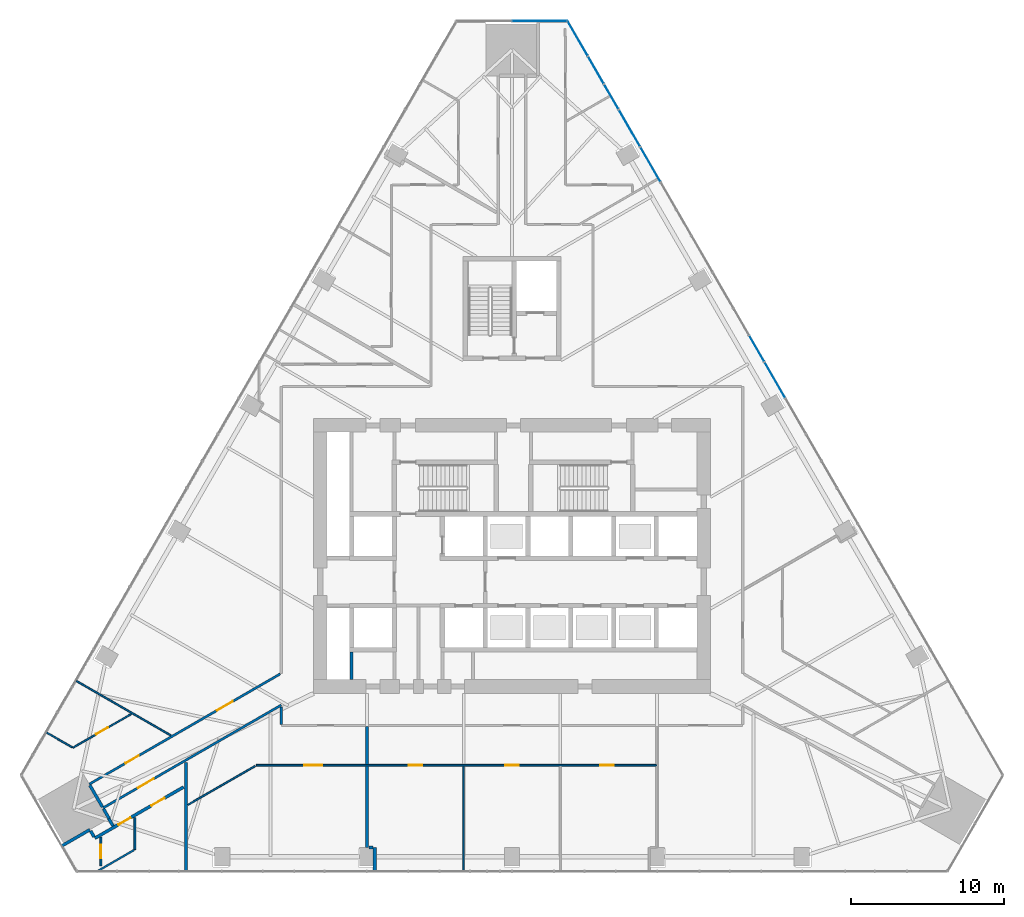
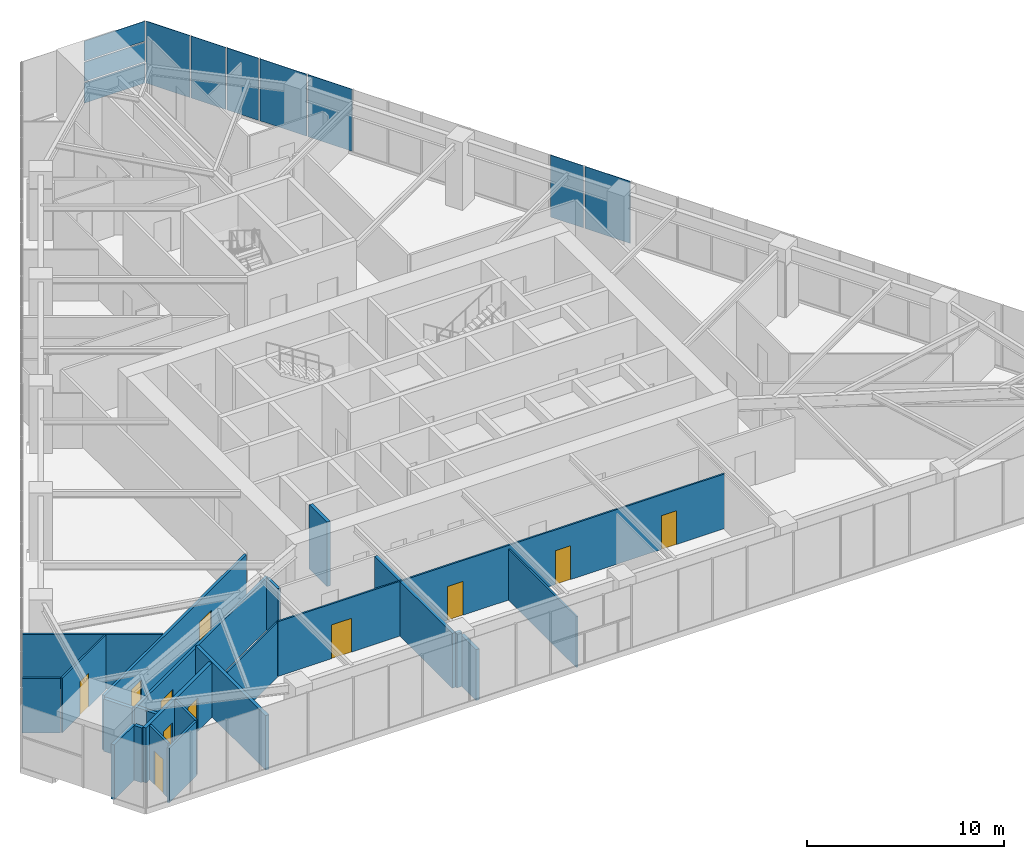
# One storey, part 15 of 21: 24 walls, 11 doors, 10 plates, 11 openings, 2 elements without a shape of their own.
"""IFC4 building model written with IfcOpenShell, lengths in metres."""

from ifc_helpers import new_model, si_unit, direction, frame, frame_2d, origin, place, context, subcontext, project, spatial, polyline, rectangle, outline, extrude, material, layer, layer_set, type_object, element, fill, aggregate, save


model = new_model("IFC4")

# Units and contexts
model_context = context("Model", 3, precision=1e-05, world=origin(), true_north=direction((0.0, 1.0)))
body_context = subcontext(model_context, "Body", "Model", "MODEL_VIEW")
ifc_project = project(units=[si_unit("LENGTHUNIT", "METRE"), si_unit("AREAUNIT", "SQUARE_METRE"), si_unit("VOLUMEUNIT", "CUBIC_METRE"), si_unit("PLANEANGLEUNIT", "RADIAN"), si_unit("MASSUNIT", "GRAM", prefix="KILO")], contexts=[model_context])

# Site, building, storey
site_placement = place(None, origin())
site = spatial("IfcSite", under=ifc_project, at=site_placement, CompositionType="ELEMENT")
building_placement = place(site_placement, origin())
building = spatial("IfcBuilding", under=site, at=building_placement, Name="Firuza Gate Tower and Library", CompositionType="ELEMENT")
storey_placement = place(building_placement, frame((0.0, 0.0, 69.39990234375)))
storey = spatial("IfcBuildingStorey", under=building, at=storey_placement, Name="L15", CompositionType="ELEMENT", Elevation=69.39990234375)

# Curtain wall, plates
ifc_material_1 = material(Name="Aluminium 6063-T6", Category="aluminium")
ifc_layer_1 = layer(ifc_material_1, 0.14990234375)
ifc_layer_set_1 = layer_set([ifc_layer_1], Name="Corner curtain wall, chamfers")
curtain_wall_type_1 = type_object("IfcCurtainWallType", Name="Corner curtain wall, chamfers", PredefinedType="NOTDEFINED", material=ifc_layer_set_1)
placement = place(storey_placement, origin())
curtain_wall_1 = element("IfcCurtainWall", 1, at=placement, inside=storey, type_object=curtain_wall_type_1, Name="CW4 L15 N corner", PredefinedType="NOTDEFINED")
ifc_material_2 = material(Name="Fritted glass", Category="glass")
ifc_layer_2 = layer(ifc_material_2, 0.030029296875)
ifc_layer_set_2 = layer_set([ifc_layer_2], Name="Fritted glass unit, corners")
plate_type_1 = type_object("IfcPlateType", Name="Fritted glass unit, corners", PredefinedType="CURTAIN_PANEL", material=ifc_layer_set_2)
plate_1_placement = place(storey_placement, frame((78.603271484375, 110.026611328125, 0.150146484375), z_axis=(0.0, 1.0, 0.0), x_axis=(-1.0, 0.0, 0.0)))
plate_1 = element("IfcPlate", 2, at=plate_1_placement, type_object=plate_type_1, Name="Glass unit", PredefinedType="CURTAIN_PANEL", context=body_context, shape_type="SweptSolid", body=[
    extrude(outline(polyline([(0.0, 0.0), (3.563232421875, 0.0), (3.563232421875, 1.260009765625), (0.0, 1.260009765625), (0.0, 0.0)])), origin(), (0.0, 0.0, -1.0), 0.030029296875),
])
plate_2_placement = place(storey_placement, frame((78.603271484375, 110.026611328125, 1.489990234375), z_axis=(0.0, 1.0, 0.0), x_axis=(-1.0, 0.0, 0.0)))
plate_2 = element("IfcPlate", 3, at=plate_2_placement, type_object=plate_type_1, Name="Glass unit", PredefinedType="CURTAIN_PANEL", context=body_context, shape_type="SweptSolid", body=[
    extrude(outline(polyline([(0.0, 0.0), (3.563232421875, 0.0), (3.563232421875, 1.195068359375), (0.0, 1.195068359375), (0.0, 0.0)])), origin(), (0.0, 0.0, -1.0), 0.030029296875),
])

ifc_material_3 = material(Name="Aluminium 6063-T6", Category="aluminium")
ifc_layer_3 = layer(ifc_material_3, 0.14990234375)
ifc_layer_set_3 = layer_set([ifc_layer_3], Name="Unitised curtain wall, offices")
curtain_wall_type_2 = type_object("IfcCurtainWallType", Name="Unitised curtain wall, offices", PredefinedType="NOTDEFINED", material=ifc_layer_set_3)
curtain_wall_2 = element("IfcCurtainWall", 4, at=placement, inside=storey, type_object=curtain_wall_type_2, Name="CW1 L15 E face", PredefinedType="NOTDEFINED")
ifc_material_4 = material(Name="Fritted glass", Category="glass")
ifc_layer_4 = layer(ifc_material_4, 0.030029296875)
ifc_layer_set_4 = layer_set([ifc_layer_4], Name="Fritted glass unit, offices")
plate_type_2 = type_object("IfcPlateType", Name="Fritted glass unit, offices", PredefinedType="CURTAIN_PANEL", material=ifc_layer_set_4)
plate_3_placement = place(storey_placement, frame((91.512939453125, 87.750732421875, 0.150146484375), z_axis=(0.866016514357, 0.500015396624, 0.0), x_axis=(-0.500015396624, 0.866016514357, 0.0)))
plate_3 = element("IfcPlate", 5, at=plate_3_placement, type_object=plate_type_2, Name="Glass unit", PredefinedType="CURTAIN_PANEL", context=body_context, shape_type="SweptSolid", body=[
    extrude(outline(polyline([(0.0, 0.0), (1.9237688859058393, 0.0), (1.9237688859058393, 3.849853515625), (0.0, 3.849853515625), (0.0, 0.0)])), origin(), (0.0, 0.0, -1.0), 0.030029296875),
])
plate_4_placement = place(storey_placement, frame((81.978515625, 104.264892578125, 0.150146484375), z_axis=(0.866014576189, 0.500018753476, 0.0), x_axis=(-0.500018753476, 0.866014576189, 0.0)))
plate_4 = element("IfcPlate", 6, at=plate_4_placement, type_object=plate_type_2, Name="Glass unit", PredefinedType="CURTAIN_PANEL", context=body_context, shape_type="SweptSolid", body=[
    extrude(outline(polyline([(0.0, 0.0), (1.8544226337585363, 0.0), (1.8544226337585363, 3.849853515625), (0.0, 3.849853515625), (0.0, 0.0)])), origin(), (0.0, 0.0, -1.0), 0.030029296875),
])
plate_5_placement = place(storey_placement, frame((81.01123046875, 105.940185546875, 0.150146484375), z_axis=(0.865997142093, 0.500048947491, 0.0), x_axis=(-0.500048947491, 0.865997142093, 0.0)))
plate_5 = element("IfcPlate", 7, at=plate_5_placement, type_object=plate_type_2, Name="Glass unit", PredefinedType="CURTAIN_PANEL", context=body_context, shape_type="SweptSolid", body=[
    extrude(outline(polyline([(0.0, 0.0), (2.0281217695542577, 0.0), (2.0281217695542577, 3.849853515625), (0.0, 3.849853515625), (0.0, 0.0)])), origin(), (0.0, 0.0, -1.0), 0.030029296875),
])

# Plate
ifc_material_5 = material(Name="Glazed ceramic tile")
ifc_layer_5 = layer(ifc_material_5, 0.030029296875)
ifc_layer_set_5 = layer_set([ifc_layer_5], Name="Opaque ceramic panel, corners")
plate_type_3 = type_object("IfcPlateType", Name="Opaque ceramic panel, corners", PredefinedType="CURTAIN_PANEL", material=ifc_layer_set_5)
plate_6_placement = place(storey_placement, frame((78.603271484375, 110.026611328125, 2.76513671875), z_axis=(0.0, 1.0, 0.0), x_axis=(-1.0, 0.0, 0.0)))
plate_6 = element("IfcPlate", 8, at=plate_6_placement, type_object=plate_type_3, Name="Opaque ceramic panel", PredefinedType="CURTAIN_PANEL", context=body_context, shape_type="SweptSolid", body=[
    extrude(outline(polyline([(0.0, 0.0), (3.563232421875, 0.0), (3.563232421875, 1.23486328125), (0.0, 1.23486328125), (0.0, 0.0)])), origin(), (0.0, 0.0, -1.0), 0.030029296875),
])

aggregate(curtain_wall_1, [plate_1, plate_2, plate_6])

ifc_material_6 = material(Name="Glazed ceramic tile")
ifc_layer_6 = layer(ifc_material_6, 0.030029296875)
ifc_layer_set_6 = layer_set([ifc_layer_6], Name="Opaque ceramic panel, offices")
plate_type_4 = type_object("IfcPlateType", Name="Opaque ceramic panel, offices", PredefinedType="CURTAIN_PANEL", material=ifc_layer_set_6)
plate_7_placement = place(storey_placement, frame((92.885986328125, 85.37255859375, 0.150146484375), z_axis=(0.866025463095, 0.499999897272, 0.0), x_axis=(-0.499999897272, 0.866025463095, 0.0)))
plate_7 = element("IfcPlate", 9, at=plate_7_placement, type_object=plate_type_4, Name="Opaque ceramic panel", PredefinedType="CURTAIN_PANEL", context=body_context, shape_type="SweptSolid", body=[
    extrude(outline(polyline([(0.0, 0.0), (2.666016172751346, 0.0), (2.666016172751346, 3.849853515625), (0.0, 3.849853515625), (0.0, 0.0)])), origin(), (0.0, 0.0, -1.0), 0.030029296875),
])

plate_8_placement = place(storey_placement, frame((84.724365234375, 99.5087890625, 0.150146484375), z_axis=(0.866041526567, 0.499972073481, 0.0), x_axis=(-0.499972073481, 0.866041526567, 0.0)))
plate_8 = element("IfcPlate", 10, at=plate_8_placement, type_object=plate_type_4, Name="Opaque ceramic panel", PredefinedType="CURTAIN_PANEL", context=body_context, shape_type="SweptSolid", body=[
    extrude(outline(polyline([(0.0, 0.0), (2.5963364195272924, 0.0), (2.5963364195272924, 3.849853515625), (0.0, 3.849853515625), (0.0, 0.0)])), origin(), (0.0, 0.0, -1.0), 0.030029296875),
])

plate_9_placement = place(storey_placement, frame((83.38623046875, 101.82666015625, 0.150146484375), z_axis=(0.866026550154, 0.499998014425, 0.0), x_axis=(-0.499998014425, 0.866026550154, 0.0)))
plate_9 = element("IfcPlate", 11, at=plate_9_placement, type_object=plate_type_4, Name="Opaque ceramic panel", PredefinedType="CURTAIN_PANEL", context=body_context, shape_type="SweptSolid", body=[
    extrude(outline(polyline([(0.0, 0.0), (2.735362425036586, 0.0), (2.735362425036586, 3.849853515625001), (0.0, 3.849853515625001), (0.0, 0.0)])), origin(), (0.0, 0.0, -1.0), 0.030029296875),
])

plate_10_placement = place(storey_placement, frame((79.957275390625, 107.765869140625, 0.150146484375), z_axis=(0.865999895656, 0.500044178772, 0.0), x_axis=(-0.500044178772, 0.865999895656, 0.0)))
plate_10 = element("IfcPlate", 12, at=plate_10_placement, type_object=plate_type_4, Name="Opaque ceramic panel", PredefinedType="CURTAIN_PANEL", context=body_context, shape_type="SweptSolid", body=[
    extrude(outline(polyline([(0.0, 0.0), (2.561785365684309, 0.0), (2.561785365684309, 3.849853515625), (0.0, 3.849853515625), (0.0, 0.0)])), origin(), (0.0, 0.0, -1.0), 0.030029296875),
])

aggregate(curtain_wall_2, [plate_7, plate_3, plate_8, plate_9, plate_4, plate_5, plate_10])

# Wall
ifc_material_7 = material(Name="Plasterboard on steel studs", Category="steel")
ifc_layer_7 = layer(ifc_material_7, 0.199951171875)
ifc_layer_set_7 = layer_set([ifc_layer_7], Name="Core partition 200 EI 120")
wall_type_1 = type_object("IfcWallType", Name="Core partition 200 EI 120", PredefinedType="PARTITIONING", material=ifc_layer_set_7)
wall_1_placement = place(storey_placement, frame((64.5, 66.89990234375, 0.0), z_axis=(0.0, 0.0, 1.0), x_axis=(0.0, 1.0, 0.0)))
element("IfcWall", 13, at=wall_1_placement, inside=storey, type_object=wall_type_1, Name="Core partition L15 5", PredefinedType="PARTITIONING", context=body_context, shape_type="SweptSolid", body=[
    extrude(rectangle(XDim=1.800048828125, YDim=0.199951171875, at=frame_2d((0.89990234375, 0.0))), origin(), (0.0, 0.0, 1.0), 4.0),
])

# Wall, opening, door
ifc_material_8 = material(Name="Gypsum board partition")
ifc_layer_8 = layer(ifc_material_8, 0.14990234375)
ifc_layer_set_8 = layer_set([ifc_layer_8], Name="Corridor wall 150 double board on steel studs")
wall_type_2 = type_object("IfcWallType", Name="Corridor wall 150 double board on steel studs", PredefinedType="PARTITIONING", material=ifc_layer_set_8)
wall_2_placement = place(storey_placement, frame((59.89990234375, 65.242919921875, 0.0), z_axis=(0.0, 0.0, 1.0), x_axis=(-0.866023326939, -0.500003597184, 0.0)))
wall_2 = element("IfcWall", 14, at=wall_2_placement, inside=storey, type_object=wall_type_2, Name="f:L15:w020", PredefinedType="PARTITIONING", context=body_context, shape_type="SweptSolid", body=[
    extrude(rectangle(XDim=13.48046875, YDim=0.14990234375, at=frame_2d((6.740234375, 0.0))), origin(), (0.0, 0.0, 1.0), 3.2470703125),
])
opening_1_placement = place(wall_2_placement, frame((9.642578125, 0.0, 0.0)))
opening_1 = element("IfcOpeningElement", 15, at=opening_1_placement, cuts=wall_2, Name="Opening L15-18", PredefinedType="OPENING", context=body_context, shape_type="SweptSolid", body=[
    extrude(rectangle(XDim=1.199951171875, YDim=2.10009765625, at=frame_2d((0.60009765625, 1.050048828125))), frame((0.0, 0.0849609375, 0.0), z_axis=(0.0, -1.0, 0.0), x_axis=(1.0, 0.0, 0.0)), (0.0, 0.0, 1.0), 0.169921875),
])
ifc_material_9 = material(Name="Steel door and timber leaf", Category="steel")
door_type_1 = type_object("IfcDoorType", Name="Fire door 1200 x 2100 steel frame, double leaf", OperationType="NOTDEFINED", PredefinedType="DOOR", material=ifc_material_9)
door_1_placement = place(opening_1_placement, origin())
door_1 = element("IfcDoor", 16, at=door_1_placement, inside=storey, type_object=door_type_1, Name="f:L15:d018", OperationType="DOUBLE_DOOR_SINGLE_SWING", OverallHeight=2.10009765625, OverallWidth=1.199951171875, PredefinedType="DOOR", context=body_context, shape_type="SweptSolid", body=[
    extrude(rectangle(XDim=1.199951171875, YDim=2.10009765625, at=frame_2d((0.60009765625, 1.050048828125))), frame((0.0, 0.02490234375, 0.0), z_axis=(0.0, -1.0, 0.0), x_axis=(1.0, 0.0, 0.0)), (0.0, 0.0, 1.0), 0.050048828125),
])
fill(opening_1, door_1)

# Wall, openings, doors
wall_3_placement = place(storey_placement, frame((47.32763671875, 60.062744140625, 0.0), z_axis=(0.0, 0.0, 1.0), x_axis=(0.86602527873, 0.500000216601, 0.0)))
wall_3 = element("IfcWall", 17, at=wall_3_placement, inside=storey, type_object=wall_type_2, Name="f:L15:w021", PredefinedType="PARTITIONING", context=body_context, shape_type="SweptSolid", body=[
    extrude(rectangle(XDim=14.4306640625, YDim=0.14990234375, at=frame_2d((7.21533203125, 0.0))), origin(), (0.0, 0.0, 1.0), 3.400146484375),
])
opening_2_placement = place(wall_3_placement, frame((2.736572265625, 0.0, 0.0)))
opening_2 = element("IfcOpeningElement", 18, at=opening_2_placement, cuts=wall_3, Name="Opening L15-19", PredefinedType="OPENING", context=body_context, shape_type="SweptSolid", body=[
    extrude(rectangle(XDim=1.0, YDim=2.10009765625, at=frame_2d((0.5, 1.050048828125))), frame((0.0, 0.0849609375, 0.0), z_axis=(0.0, -1.0, 0.0), x_axis=(1.0, 0.0, 0.0)), (0.0, 0.0, 1.0), 0.169921875),
])
opening_3_placement = place(wall_3_placement, frame((9.648681640625, 0.0, 0.0)))
opening_3 = element("IfcOpeningElement", 19, at=opening_3_placement, cuts=wall_3, Name="Opening L15-20", PredefinedType="OPENING", context=body_context, shape_type="SweptSolid", body=[
    extrude(rectangle(XDim=1.199951171875, YDim=2.10009765625, at=frame_2d((0.60009765625, 1.050048828125))), frame((0.0, 0.0849609375, 0.0), z_axis=(0.0, -1.0, 0.0), x_axis=(1.0, 0.0, 0.0)), (0.0, 0.0, 1.0), 0.169921875),
])
ifc_material_10 = material(Name="Steel door and timber leaf", Category="steel")
door_type_2 = type_object("IfcDoorType", Name="Fire door 1000 x 2100 steel frame, timber leaf", OperationType="NOTDEFINED", PredefinedType="DOOR", material=ifc_material_10)
door_2_placement = place(opening_2_placement, origin())
door_2 = element("IfcDoor", 20, at=door_2_placement, inside=storey, type_object=door_type_2, Name="f:L15:d019", OperationType="SINGLE_SWING_LEFT", OverallHeight=2.10009765625, OverallWidth=1.0, PredefinedType="DOOR", context=body_context, shape_type="SweptSolid", body=[
    extrude(rectangle(XDim=1.0, YDim=2.10009765625, at=frame_2d((0.5, 1.050048828125))), frame((0.0, 0.02490234375, 0.0), z_axis=(0.0, -1.0, 0.0), x_axis=(1.0, 0.0, 0.0)), (0.0, 0.0, 1.0), 0.050048828125),
])
fill(opening_2, door_2)
door_3_placement = place(opening_3_placement, origin())
door_3 = element("IfcDoor", 21, at=door_3_placement, inside=storey, type_object=door_type_1, Name="f:L15:d020", OperationType="DOUBLE_DOOR_SINGLE_SWING", OverallHeight=2.10009765625, OverallWidth=1.199951171875, PredefinedType="DOOR", context=body_context, shape_type="SweptSolid", body=[
    extrude(rectangle(XDim=1.199951171875, YDim=2.10009765625, at=frame_2d((0.60009765625, 1.050048828125))), frame((0.0, 0.02490234375, 0.0), z_axis=(0.0, -1.0, 0.0), x_axis=(1.0, 0.0, 0.0)), (0.0, 0.0, 1.0), 0.050048828125),
])
fill(opening_3, door_3)

# Walls
wall_4_placement = place(storey_placement, frame((59.89990234375, 63.97509765625, 0.0), z_axis=(0.0, 0.0, 1.0), x_axis=(0.0, 1.0, 0.0)))
element("IfcWall", 22, at=wall_4_placement, inside=storey, type_object=wall_type_2, Name="f:L15:w048", PredefinedType="PARTITIONING", context=body_context, shape_type="SweptSolid", body=[
    extrude(rectangle(XDim=1.131103515625, YDim=0.14990234375, at=frame_2d((0.5654296875, 0.0))), origin(), (0.0, 0.0, 1.0), 3.2470703125),
])
ifc_material_11 = material(Name="Gypsum board partition")
ifc_layer_9 = layer(ifc_material_11, 0.199951171875)
ifc_layer_set_9 = layer_set([ifc_layer_9], Name="Demising wall 200 acoustic double stud")
wall_type_3 = type_object("IfcWallType", Name="Demising wall 200 acoustic double stud", PredefinedType="PARTITIONING", material=ifc_layer_set_9)
wall_5_placement = place(storey_placement, frame((65.624755859375, 55.9140625, 0.0), z_axis=(0.0, 0.0, 1.0), x_axis=(1.0, 0.0, 0.0)))
element("IfcWall", 23, at=wall_5_placement, inside=storey, type_object=wall_type_3, Name="f:L15:w000", PredefinedType="PARTITIONING", context=body_context, shape_type="SweptSolid", body=[
    extrude(rectangle(XDim=0.2900390625, YDim=0.199951171875, at=frame_2d((0.14501953125, 0.0))), origin(), (0.0, 0.0, 1.0), 3.400146484375),
])

# Wall, openings, doors
wall_6_placement = place(storey_placement, frame((47.694580078125, 56.521240234375, 0.0), z_axis=(0.0, 0.0, 1.0), x_axis=(0.86602261799, 0.500004825106, 0.0)))
wall_6 = element("IfcWall", 24, at=wall_6_placement, inside=storey, type_object=wall_type_3, Name="f:L15:w018", PredefinedType="PARTITIONING", context=body_context, shape_type="SweptSolid", body=[
    extrude(rectangle(XDim=6.7109375, YDim=0.199951171875, at=frame_2d((3.35546875, 0.0))), origin(), (0.0, 0.0, 1.0), 3.400146484375),
])
opening_4_placement = place(wall_6_placement, frame((1.77880859375, 0.0, 0.0)))
opening_4 = element("IfcOpeningElement", 25, at=opening_4_placement, cuts=wall_6, Name="Opening L15-16", PredefinedType="OPENING", context=body_context, shape_type="SweptSolid", body=[
    extrude(rectangle(XDim=0.89990234375, YDim=2.10009765625, at=frame_2d((0.449951171875, 1.050048828125))), frame((0.0, 0.10986328125, 0.0), z_axis=(0.0, -1.0, 0.0), x_axis=(1.0, 0.0, 0.0)), (0.0, 0.0, 1.0), 0.219970703125),
])
opening_5_placement = place(wall_6_placement, frame((4.265625, 0.0, 0.0)))
opening_5 = element("IfcOpeningElement", 26, at=opening_5_placement, cuts=wall_6, Name="Opening L15-17", PredefinedType="OPENING", context=body_context, shape_type="SweptSolid", body=[
    extrude(rectangle(XDim=1.0, YDim=2.10009765625, at=frame_2d((0.5, 1.050048828125))), frame((0.0, 0.10986328125, 0.0), z_axis=(0.0, -1.0, 0.0), x_axis=(1.0, 0.0, 0.0)), (0.0, 0.0, 1.0), 0.219970703125),
])
ifc_material_12 = material(Name="Timber door", Category="wood")
door_type_3 = type_object("IfcDoorType", Name="Door 1000 x 2100 timber leaf", OperationType="NOTDEFINED", PredefinedType="DOOR", material=ifc_material_12)
door_4_placement = place(opening_5_placement, origin())
door_4 = element("IfcDoor", 27, at=door_4_placement, inside=storey, type_object=door_type_3, Name="f:L15:d017", OperationType="SINGLE_SWING_RIGHT", OverallHeight=2.10009765625, OverallWidth=1.0, PredefinedType="DOOR", context=body_context, shape_type="SweptSolid", body=[
    extrude(rectangle(XDim=1.0, YDim=2.10009765625, at=frame_2d((0.5, 1.050048828125))), frame((0.0, 0.02490234375, 0.0), z_axis=(0.0, -1.0, 0.0), x_axis=(1.0, 0.0, 0.0)), (0.0, 0.0, 1.0), 0.050048828125),
])
fill(opening_5, door_4)
ifc_material_13 = material(Name="Timber door", Category="wood")
door_type_4 = type_object("IfcDoorType", Name="Door 900 x 2100 timber leaf", OperationType="NOTDEFINED", PredefinedType="DOOR", material=ifc_material_13)
door_5_placement = place(opening_4_placement, origin())
door_5 = element("IfcDoor", 28, at=door_5_placement, inside=storey, type_object=door_type_4, Name="f:L15:d016", OperationType="SINGLE_SWING_LEFT", OverallHeight=2.10009765625, OverallWidth=0.89990234375, PredefinedType="DOOR", context=body_context, shape_type="SweptSolid", body=[
    extrude(rectangle(XDim=0.89990234375, YDim=2.10009765625, at=frame_2d((0.449951171875, 1.050048828125))), frame((0.0, 0.02490234375, 0.0), z_axis=(0.0, -1.0, 0.0), x_axis=(1.0, 0.0, 0.0)), (0.0, 0.0, 1.0), 0.050048828125),
])
fill(opening_4, door_5)

# Walls
wall_7_placement = place(storey_placement, frame((45.5419921875, 56.029541015625, 0.0), z_axis=(0.0, 0.0, 1.0), x_axis=(0.866062227083, 0.499936214752, 0.0)))
element("IfcWall", 29, at=wall_7_placement, inside=storey, type_object=wall_type_3, Name="f:L15:w019", PredefinedType="PARTITIONING", context=body_context, shape_type="SweptSolid", body=[
    extrude(rectangle(XDim=2.109130859375, YDim=0.199951171875, at=frame_2d((1.0546875, 0.0))), origin(), (0.0, 0.0, 1.0), 3.400146484375),
])
wall_8_placement = place(storey_placement, frame((66.014892578125, 54.35400390625, 0.0), z_axis=(0.0, 0.0, 1.0), x_axis=(0.0, 1.0, 0.0)))
element("IfcWall", 30, at=wall_8_placement, inside=storey, type_object=wall_type_3, Name="f:L15:w046", PredefinedType="PARTITIONING", context=body_context, shape_type="SweptSolid", body=[
    extrude(rectangle(XDim=1.56005859375, YDim=0.199951171875, at=frame_2d((0.780029296875, 0.0))), origin(), (0.0, 0.0, 1.0), 3.1650390625),
])
wall_9_placement = place(storey_placement, frame((65.514892578125, 55.9140625, 0.0), z_axis=(0.0, 0.0, 1.0), x_axis=(0.0, 1.0, 0.0)))
element("IfcWall", 31, at=wall_9_placement, inside=storey, type_object=wall_type_3, Name="f:L15:w047", PredefinedType="PARTITIONING", context=body_context, shape_type="SweptSolid", body=[
    extrude(rectangle(XDim=5.3359375, YDim=0.199951171875, at=frame_2d((2.66796875, 0.0))), origin(), (0.0, 0.0, 1.0), 3.400146484375),
])
wall_10_placement = place(storey_placement, frame((53.657958984375, 54.35400390625, 0.0), z_axis=(0.0, 0.0, 1.0), x_axis=(0.0, 1.0, 0.0)))
element("IfcWall", 32, at=wall_10_placement, inside=storey, type_object=wall_type_3, Name="f:L15:w051", PredefinedType="PARTITIONING", context=body_context, shape_type="SweptSolid", body=[
    extrude(rectangle(XDim=7.138427734375, YDim=0.199951171875, at=frame_2d((3.5693359375, 0.0))), origin(), (0.0, 0.0, 1.0), 3.400146484375),
])
wall_11_placement = place(storey_placement, frame((48.62451171875, 57.809814453125, 0.0), z_axis=(0.0, 0.0, 1.0), x_axis=(-0.500053022251, 0.865994789209, 0.0)))
element("IfcWall", 33, at=wall_11_placement, inside=storey, type_object=wall_type_3, Name="f:L15:w056", PredefinedType="PARTITIONING", context=body_context, shape_type="SweptSolid", body=[
    extrude(rectangle(XDim=0.724609375, YDim=0.199951171875, at=frame_2d((0.3623046875, 0.0))), origin(), (0.0, 0.0, 1.0), 3.400146484375),
])
wall_12_placement = place(storey_placement, frame((48.88330078125, 57.323486328125, 0.0), z_axis=(0.0, 0.0, 1.0), x_axis=(-0.499914787221, 0.866074595816, 0.0)))
element("IfcWall", 34, at=wall_12_placement, inside=storey, type_object=wall_type_3, Name="f:L15:w057", PredefinedType="PARTITIONING", context=body_context, shape_type="SweptSolid", body=[
    extrude(rectangle(XDim=0.54931640625, YDim=0.199951171875, at=frame_2d((0.274658203125, 0.0))), origin(), (0.0, 0.0, 1.0), 3.400146484375),
])
wall_13_placement = place(storey_placement, frame((47.64404296875, 56.60791015625, 0.0), z_axis=(0.0, 0.0, 1.0), x_axis=(-0.499644091975, 0.866230789891, 0.0)))
element("IfcWall", 35, at=wall_13_placement, inside=storey, type_object=wall_type_3, Name="f:L15:w058", PredefinedType="PARTITIONING", context=body_context, shape_type="SweptSolid", body=[
    extrude(rectangle(XDim=0.449462890625, YDim=0.199951171875, at=frame_2d((0.224609375, 0.0))), origin(), (0.0, 0.0, 1.0), 3.400146484375),
])
wall_14_placement = place(storey_placement, frame((48.187255859375, 58.567138671875, 0.0), z_axis=(0.0, 0.0, 1.0), x_axis=(-0.500013311227, 0.866017718408, 0.0)))
element("IfcWall", 36, at=wall_14_placement, inside=storey, type_object=wall_type_3, Name="f:L15:w078", PredefinedType="PARTITIONING", context=body_context, shape_type="SweptSolid", body=[
    extrude(rectangle(XDim=1.64697265625, YDim=0.199951171875, at=frame_2d((0.823486328125, 0.0))), origin(), (0.0, 0.0, 1.0), 3.2470703125),
])
wall_15_placement = place(storey_placement, frame((65.514892578125, 61.35009765625, 0.0), z_axis=(0.0, 0.0, 1.0), x_axis=(0.0, 1.0, 0.0)))
element("IfcWall", 37, at=wall_15_placement, inside=storey, type_object=wall_type_3, Name="f:L15:w079", PredefinedType="PARTITIONING", context=body_context, shape_type="SweptSolid", body=[
    extrude(rectangle(XDim=2.474853515625, YDim=0.199951171875, at=frame_2d((1.2373046875, 0.0))), origin(), (0.0, 0.0, 1.0), 3.400146484375),
])

# Wall, openings, doors
ifc_material_14 = material(Name="Gypsum board partition")
ifc_layer_10 = layer(ifc_material_14, 0.10009765625)
ifc_layer_set_10 = layer_set([ifc_layer_10], Name="Partition 100 gypsum board on steel studs")
wall_type_4 = type_object("IfcWallType", Name="Partition 100 gypsum board on steel studs", PredefinedType="PARTITIONING", material=ifc_layer_set_10)
wall_16_placement = place(storey_placement, frame((58.27099609375, 61.300048828125, 0.0), z_axis=(0.0, 0.0, 1.0), x_axis=(1.0, 0.0, 0.0)))
wall_16 = element("IfcWall", 38, at=wall_16_placement, inside=storey, type_object=wall_type_4, Name="f:L15:w002", PredefinedType="PARTITIONING", context=body_context, shape_type="SweptSolid", body=[
    extrude(rectangle(XDim=26.21435546875, YDim=0.10009765625, at=frame_2d((13.107177734375, 0.0))), origin(), (0.0, 0.0, 1.0), 3.400146484375),
])
opening_6_placement = place(wall_16_placement, frame((3.121826171875, 0.0, 0.0)))
opening_6 = element("IfcOpeningElement", 39, at=opening_6_placement, cuts=wall_16, Name="Opening L15-01", PredefinedType="OPENING", context=body_context, shape_type="SweptSolid", body=[
    extrude(rectangle(XDim=1.199951171875, YDim=2.10009765625, at=frame_2d((0.60009765625, 1.050048828125))), frame((0.0, 0.06005859375, 0.0), z_axis=(0.0, -1.0, 0.0), x_axis=(1.0, 0.0, 0.0)), (0.0, 0.0, 1.0), 0.1201171875),
])
opening_7_placement = place(wall_16_placement, frame((9.95703125, 0.0, 0.0)))
opening_7 = element("IfcOpeningElement", 40, at=opening_7_placement, cuts=wall_16, Name="Opening L15-02", PredefinedType="OPENING", context=body_context, shape_type="SweptSolid", body=[
    extrude(rectangle(XDim=0.89990234375, YDim=2.10009765625, at=frame_2d((0.449951171875, 1.050048828125))), frame((0.0, 0.06005859375, 0.0), z_axis=(0.0, -1.0, 0.0), x_axis=(1.0, 0.0, 0.0)), (0.0, 0.0, 1.0), 0.1201171875),
])
opening_8_placement = place(wall_16_placement, frame((16.279052734375, 0.0, 0.0)))
opening_8 = element("IfcOpeningElement", 41, at=opening_8_placement, cuts=wall_16, Name="Opening L15-03", PredefinedType="OPENING", context=body_context, shape_type="SweptSolid", body=[
    extrude(rectangle(XDim=0.89990234375, YDim=2.10009765625, at=frame_2d((0.449951171875, 1.050048828125))), frame((0.0, 0.06005859375, 0.0), z_axis=(0.0, -1.0, 0.0), x_axis=(1.0, 0.0, 0.0)), (0.0, 0.0, 1.0), 0.1201171875),
])
opening_9_placement = place(wall_16_placement, frame((22.501220703125, 0.0, 0.0)))
opening_9 = element("IfcOpeningElement", 42, at=opening_9_placement, cuts=wall_16, Name="Opening L15-04", PredefinedType="OPENING", context=body_context, shape_type="SweptSolid", body=[
    extrude(rectangle(XDim=0.89990234375, YDim=2.10009765625, at=frame_2d((0.449951171875, 1.050048828125))), frame((0.0, 0.06005859375, 0.0), z_axis=(0.0, -1.0, 0.0), x_axis=(1.0, 0.0, 0.0)), (0.0, 0.0, 1.0), 0.1201171875),
])
ifc_material_15 = material(Name="Glazed aluminium door", Category="aluminium")
door_type_5 = type_object("IfcDoorType", Name="Door 1200 x 2100 glazed double leaf", OperationType="NOTDEFINED", PredefinedType="DOOR", material=ifc_material_15)
door_6_placement = place(opening_6_placement, origin())
door_6 = element("IfcDoor", 43, at=door_6_placement, inside=storey, type_object=door_type_5, Name="f:L15:d001", OperationType="DOUBLE_DOOR_SINGLE_SWING", OverallHeight=2.10009765625, OverallWidth=1.199951171875, PredefinedType="DOOR", context=body_context, shape_type="SweptSolid", body=[
    extrude(rectangle(XDim=1.199951171875, YDim=2.10009765625, at=frame_2d((0.60009765625, 1.050048828125))), frame((0.0, 0.02490234375, 0.0), z_axis=(0.0, -1.0, 0.0), x_axis=(1.0, 0.0, 0.0)), (0.0, 0.0, 1.0), 0.050048828125),
])
fill(opening_6, door_6)
door_7_placement = place(opening_7_placement, origin())
door_7 = element("IfcDoor", 44, at=door_7_placement, inside=storey, type_object=door_type_4, Name="f:L15:d002", OperationType="SINGLE_SWING_RIGHT", OverallHeight=2.10009765625, OverallWidth=0.89990234375, PredefinedType="DOOR", context=body_context, shape_type="SweptSolid", body=[
    extrude(rectangle(XDim=0.89990234375, YDim=2.10009765625, at=frame_2d((0.449951171875, 1.050048828125))), frame((0.0, 0.02490234375, 0.0), z_axis=(0.0, -1.0, 0.0), x_axis=(1.0, 0.0, 0.0)), (0.0, 0.0, 1.0), 0.050048828125),
])
fill(opening_7, door_7)
door_8_placement = place(opening_8_placement, origin())
door_8 = element("IfcDoor", 45, at=door_8_placement, inside=storey, type_object=door_type_4, Name="f:L15:d003", OperationType="SINGLE_SWING_LEFT", OverallHeight=2.10009765625, OverallWidth=0.89990234375, PredefinedType="DOOR", context=body_context, shape_type="SweptSolid", body=[
    extrude(rectangle(XDim=0.89990234375, YDim=2.10009765625, at=frame_2d((0.449951171875, 1.050048828125))), frame((0.0, 0.02490234375, 0.0), z_axis=(0.0, -1.0, 0.0), x_axis=(1.0, 0.0, 0.0)), (0.0, 0.0, 1.0), 0.050048828125),
])
fill(opening_8, door_8)
door_9_placement = place(opening_9_placement, origin())
door_9 = element("IfcDoor", 46, at=door_9_placement, inside=storey, type_object=door_type_4, Name="f:L15:d004", OperationType="SINGLE_SWING_RIGHT", OverallHeight=2.10009765625, OverallWidth=0.89990234375, PredefinedType="DOOR", context=body_context, shape_type="SweptSolid", body=[
    extrude(rectangle(XDim=0.89990234375, YDim=2.10009765625, at=frame_2d((0.449951171875, 1.050048828125))), frame((0.0, 0.02490234375, 0.0), z_axis=(0.0, -1.0, 0.0), x_axis=(1.0, 0.0, 0.0)), (0.0, 0.0, 1.0), 0.050048828125),
])
fill(opening_9, door_9)

# Wall
wall_17_placement = place(storey_placement, frame((53.783935546875, 58.709716796875, 0.0), z_axis=(0.0, 0.0, 1.0), x_axis=(0.866049563981, 0.499958150978, 0.0)))
element("IfcWall", 47, at=wall_17_placement, inside=storey, type_object=wall_type_4, Name="f:L15:w017", PredefinedType="PARTITIONING", context=body_context, shape_type="SweptSolid", body=[
    extrude(rectangle(XDim=5.0810546875, YDim=0.10009765625, at=frame_2d((2.54052734375, 0.0))), origin(), (0.0, 0.0, 1.0), 3.400146484375),
])

# Wall, opening, door
wall_18_placement = place(storey_placement, frame((50.08203125, 64.6552734375, 0.0), z_axis=(0.0, 0.0, 1.0), x_axis=(-0.866030989016, -0.499990325971, 0.0)))
wall_18 = element("IfcWall", 48, at=wall_18_placement, inside=storey, type_object=wall_type_4, Name="f:L15:w022", PredefinedType="PARTITIONING", context=body_context, shape_type="SweptSolid", body=[
    extrude(rectangle(XDim=4.41796875, YDim=0.10009765625, at=frame_2d((2.208984375, 0.0))), origin(), (0.0, 0.0, 1.0), 3.400146484375),
])
opening_10_placement = place(wall_18_placement, frame((1.759033203125, 0.0, 0.0)))
opening_10 = element("IfcOpeningElement", 49, at=opening_10_placement, cuts=wall_18, Name="Opening L15-21", PredefinedType="OPENING", context=body_context, shape_type="SweptSolid", body=[
    extrude(rectangle(XDim=0.89990234375, YDim=2.10009765625, at=frame_2d((0.449951171875, 1.050048828125))), frame((0.0, 0.06005859375, 0.0), z_axis=(0.0, -1.0, 0.0), x_axis=(1.0, 0.0, 0.0)), (0.0, 0.0, 1.0), 0.1201171875),
])
door_10_placement = place(opening_10_placement, origin())
door_10 = element("IfcDoor", 50, at=door_10_placement, inside=storey, type_object=door_type_4, Name="f:L15:d021", OperationType="SINGLE_SWING_LEFT", OverallHeight=2.10009765625, OverallWidth=0.89990234375, PredefinedType="DOOR", context=body_context, shape_type="SweptSolid", body=[
    extrude(rectangle(XDim=0.89990234375, YDim=2.10009765625, at=frame_2d((0.449951171875, 1.050048828125))), frame((0.0, 0.02490234375, 0.0), z_axis=(0.0, -1.0, 0.0), x_axis=(1.0, 0.0, 0.0)), (0.0, 0.0, 1.0), 0.050048828125),
])
fill(opening_10, door_10)

# Walls
wall_19_placement = place(storey_placement, frame((71.837890625, 54.35400390625, 0.0), z_axis=(0.0, 0.0, 1.0), x_axis=(0.0, 1.0, 0.0)))
element("IfcWall", 51, at=wall_19_placement, inside=storey, type_object=wall_type_4, Name="f:L15:w042", PredefinedType="PARTITIONING", context=body_context, shape_type="SweptSolid", body=[
    extrude(rectangle(XDim=6.89599609375, YDim=0.10009765625, at=frame_2d((3.447998046875, 0.0))), origin(), (0.0, 0.0, 1.0), 3.1650390625),
])
wall_20_placement = place(storey_placement, frame((52.656982421875, 63.256103515625, 0.0), z_axis=(0.0, 0.0, 1.0), x_axis=(-0.866014863173, 0.50001825643, 0.0)))
element("IfcWall", 52, at=wall_20_placement, inside=storey, type_object=wall_type_4, Name="f:L15:w071", PredefinedType="PARTITIONING", context=body_context, shape_type="SweptSolid", body=[
    extrude(rectangle(XDim=7.168212890625, YDim=0.10009765625, at=frame_2d((3.583984375, 0.0))), origin(), (0.0, 0.0, 1.0), 3.400146484375),
])
wall_21_placement = place(storey_placement, frame((46.2060546875, 62.47509765625, 0.0), z_axis=(0.0, 0.0, 1.0), x_axis=(-0.866033041146, 0.499986771468, 0.0)))
element("IfcWall", 53, at=wall_21_placement, inside=storey, type_object=wall_type_4, Name="f:L15:w072", PredefinedType="PARTITIONING", context=body_context, shape_type="SweptSolid", body=[
    extrude(rectangle(XDim=1.97216796875, YDim=0.10009765625, at=frame_2d((0.986083984375, 0.0))), origin(), (0.0, 0.0, 1.0), 3.400146484375),
])
ifc_material_16 = material(Name="Gypsum board partition")
ifc_layer_11 = layer(ifc_material_16, 0.1201171875)
ifc_layer_set_11 = layer_set([ifc_layer_11], Name="Wet-area partition 120 moisture-resistant board")
wall_type_5 = type_object("IfcWallType", Name="Wet-area partition 120 moisture-resistant board", PredefinedType="PARTITIONING", material=ifc_layer_set_11)
wall_22_placement = place(storey_placement, frame((47.840087890625, 54.35400390625, 0.0), z_axis=(0.0, 0.0, 1.0), x_axis=(0.866007574053, 0.500030880729, 0.0)))
element("IfcWall", 54, at=wall_22_placement, inside=storey, type_object=wall_type_5, Name="f:L15:w016", PredefinedType="PARTITIONING", context=body_context, shape_type="SweptSolid", body=[
    extrude(rectangle(XDim=2.786376953125, YDim=0.1201171875, at=frame_2d((1.39306640625, 0.0))), origin(), (0.0, 0.0, 1.0), 3.400146484375),
])
wall_23_placement = place(storey_placement, frame((50.31298828125, 55.7822265625, 0.0), z_axis=(0.0, 0.0, 1.0), x_axis=(0.0, 1.0, 0.0)))
element("IfcWall", 55, at=wall_23_placement, inside=storey, type_object=wall_type_5, Name="f:L15:w052", PredefinedType="PARTITIONING", context=body_context, shape_type="SweptSolid", body=[
    extrude(rectangle(XDim=2.095947265625, YDim=0.1201171875, at=frame_2d((1.0478515625, 0.0))), origin(), (0.0, 0.0, 1.0), 3.400146484375),
])

# Wall, opening, door
wall_24_placement = place(storey_placement, frame((48.083984375, 56.5908203125, 0.0), z_axis=(0.0, 0.0, 1.0), x_axis=(0.0, -1.0, 0.0)))
wall_24 = element("IfcWall", 56, at=wall_24_placement, inside=storey, type_object=wall_type_5, Name="f:L15:w053", PredefinedType="PARTITIONING", context=body_context, shape_type="SweptSolid", body=[
    extrude(rectangle(XDim=1.876708984375, YDim=0.1201171875, at=frame_2d((0.9384765625, 0.0))), origin(), (0.0, 0.0, 1.0), 3.400146484375),
])
opening_11_placement = place(wall_24_placement, frame((0.48828125, 0.0, 0.0)))
opening_11 = element("IfcOpeningElement", 57, at=opening_11_placement, cuts=wall_24, Name="Opening L15-28", PredefinedType="OPENING", context=body_context, shape_type="SweptSolid", body=[
    extrude(rectangle(XDim=0.89990234375, YDim=2.10009765625, at=frame_2d((0.449951171875, 1.050048828125))), frame((0.0, 0.070068359375, 0.0), z_axis=(0.0, -1.0, 0.0), x_axis=(1.0, 0.0, 0.0)), (0.0, 0.0, 1.0), 0.14013671875),
])
door_11_placement = place(opening_11_placement, origin())
door_11 = element("IfcDoor", 58, at=door_11_placement, inside=storey, type_object=door_type_4, Name="f:L15:d028", OperationType="SINGLE_SWING_LEFT", OverallHeight=2.10009765625, OverallWidth=0.89990234375, PredefinedType="DOOR", context=body_context, shape_type="SweptSolid", body=[
    extrude(rectangle(XDim=0.89990234375, YDim=2.10009765625, at=frame_2d((0.449951171875, 1.050048828125))), frame((0.0, 0.02490234375, 0.0), z_axis=(0.0, -1.0, 0.0), x_axis=(1.0, 0.0, 0.0)), (0.0, 0.0, 1.0), 0.050048828125),
])
fill(opening_11, door_11)

save(model, "model.ifc")
